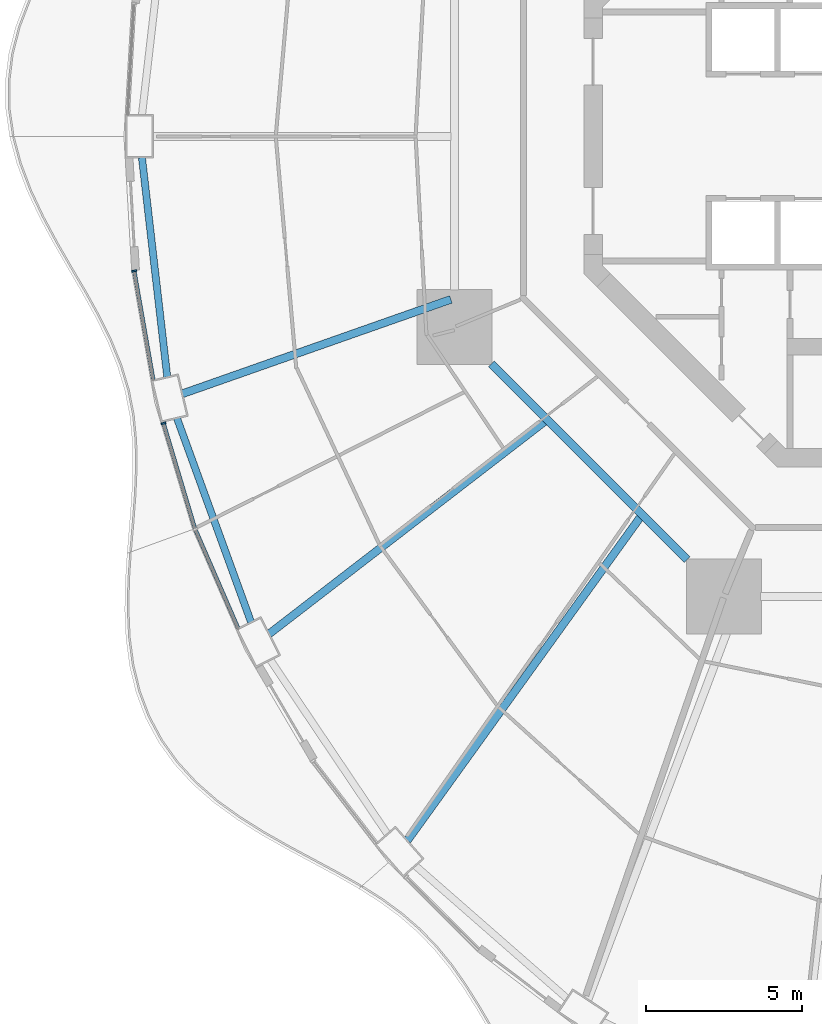
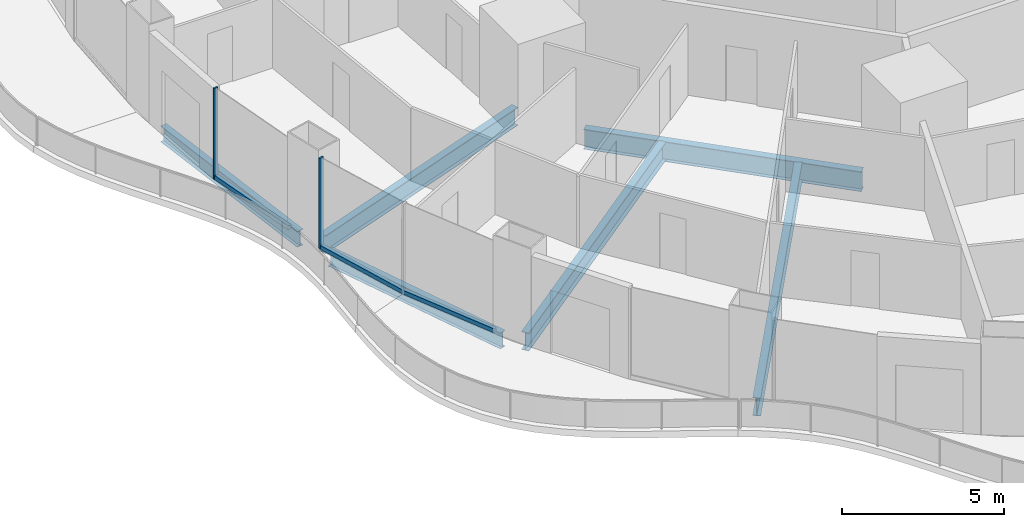
# One storey, part 3 of 22: 6 beams, 5 members, 3 elements without a shape of their own.
"""IFC4 building model written with IfcOpenShell, lengths in metres."""

from ifc_helpers import new_model, si_unit, direction, frame, origin, origin_2d, place, context, subcontext, project, spatial, rectangle, i_section, extrude, material, layer, layer_set, material_profile, profile_set, type_object, element, aggregate, save


model = new_model("IFC4")

# Units and contexts
model_context = context("Model", 3, precision=1e-05, world=origin(), true_north=direction((0.0, 1.0)))
body_context = subcontext(model_context, "Body", "Model", "MODEL_VIEW")
ifc_project = project(units=[si_unit("LENGTHUNIT", "METRE"), si_unit("AREAUNIT", "SQUARE_METRE"), si_unit("VOLUMEUNIT", "CUBIC_METRE"), si_unit("PLANEANGLEUNIT", "RADIAN"), si_unit("MASSUNIT", "GRAM", prefix="KILO")], contexts=[model_context])

# Site, building, storey
site_placement = place(None, origin())
site = spatial("IfcSite", under=ifc_project, at=site_placement, CompositionType="ELEMENT")
building_placement = place(site_placement, origin())
building = spatial("IfcBuilding", under=site, at=building_placement, Name="Nagisa Residences", CompositionType="ELEMENT")
storey_placement = place(building_placement, frame((0.0, 0.0, 34.39990234375)))
storey = spatial("IfcBuildingStorey", under=building, at=storey_placement, Name="L07", CompositionType="ELEMENT", Elevation=34.39990234375)

# Curtain wall, member
ifc_material_1 = material(Name="Concrete-coloured aluminium curtain wall system", Category="concrete")
ifc_layer = layer(ifc_material_1, 0.159912109375)
ifc_layer_set = layer_set([ifc_layer], Name="CW1 CURTAIN WALL")
curtain_wall_type = type_object("IfcCurtainWallType", Name="CW1 CURTAIN WALL", PredefinedType="NOTDEFINED", material=ifc_layer_set)
curtain_wall_1_placement = place(storey_placement, origin())
curtain_wall_1 = element("IfcCurtainWall", 1, at=curtain_wall_1_placement, inside=storey, type_object=curtain_wall_type, Name="cw:CW1:L07:25", PredefinedType="NOTDEFINED")
ifc_material_2 = material(Name="Concrete-coloured aluminium", Category="concrete")
ifc_material_profile_1 = material_profile(ifc_material_2, rectangle(XDim=0.159912109375, YDim=0.06005859375, at=origin_2d()), Name="CW1 MULLION 160x60")
ifc_profile_set_1 = profile_set([ifc_material_profile_1], Name="Concrete-coloured aluminium")
member_type_1 = type_object("IfcMemberType", Name="CW1 MULLION 160x60", PredefinedType="MULLION", material=ifc_profile_set_1)
member_1_placement = place(storey_placement, frame((-25.06787109375, -4.3232421875, 0.0), z_axis=(0.0, 0.0, 1.0), x_axis=(0.985063604377, 0.172190868898, 0.0)))
member_1 = element("IfcMember", 2, at=member_1_placement, type_object=member_type_1, Name="CW1 mullion", PredefinedType="MULLION", context=body_context, shape_type="SweptSolid", body=[
    extrude(rectangle(XDim=0.159912109375, YDim=0.06005859375, at=origin_2d()), origin(), (0.0, 0.0, 1.0), 3.440185546875),
])

curtain_wall_2_placement = place(storey_placement, origin())
curtain_wall_2 = element("IfcCurtainWall", 3, at=curtain_wall_2_placement, inside=storey, type_object=curtain_wall_type, Name="cw:CW1:L07:26", PredefinedType="NOTDEFINED")
member_2_placement = place(storey_placement, frame((-24.12646484375, -9.2177734375, 0.0), z_axis=(0.0, 0.0, 1.0), x_axis=(0.958271310082, 0.285860274038, 0.0)))
member_2 = element("IfcMember", 4, at=member_2_placement, type_object=member_type_1, Name="CW1 mullion", PredefinedType="MULLION", context=body_context, shape_type="SweptSolid", body=[
    extrude(rectangle(XDim=0.159912109375, YDim=0.06005859375, at=origin_2d()), origin(), (0.0, 0.0, 1.0), 3.440185546875),
])

# Member
ifc_material_3 = material(Name="Concrete-coloured aluminium", Category="concrete")
ifc_material_profile_2 = material_profile(ifc_material_3, rectangle(XDim=0.1201171875, YDim=0.14990234375, at=origin_2d()), Name="CW1 TRANSOM 120x150")
ifc_profile_set_2 = profile_set([ifc_material_profile_2], Name="Concrete-coloured aluminium")
member_type_2 = type_object("IfcMemberType", Name="CW1 TRANSOM 120x150", PredefinedType="USERDEFINED", material=ifc_profile_set_2)
member_3_placement = place(storey_placement, frame((-25.072998046875, -4.293701171875, 0.0751953125), z_axis=(0.172163041068, -0.985068468326, 0.0), x_axis=(0.985068468326, 0.172163041068, 0.0)))
member_3 = element("IfcMember", 5, at=member_3_placement, type_object=member_type_2, Name="CW1 transom", ObjectType="TRANSOM", PredefinedType="USERDEFINED", context=body_context, shape_type="SweptSolid", body=[
    extrude(rectangle(XDim=0.1201171875, YDim=0.14990234375, at=origin_2d()), origin(), (0.0, 0.0, 1.0), 3.59765625),
])

aggregate(curtain_wall_1, [member_1, member_3])

member_4_placement = place(storey_placement, frame((-24.135009765625, -9.18896484375, 0.0751953125), z_axis=(0.285808431121, -0.958286773727, 0.0), x_axis=(0.958286773727, 0.285808431121, 0.0)))
member_4 = element("IfcMember", 6, at=member_4_placement, type_object=member_type_2, Name="CW1 transom", ObjectType="TRANSOM", PredefinedType="USERDEFINED", context=body_context, shape_type="SweptSolid", body=[
    extrude(rectangle(XDim=0.1201171875, YDim=0.14990234375, at=origin_2d()), origin(), (0.0, 0.0, 1.0), 3.5654296875),
])

aggregate(curtain_wall_2, [member_2, member_4])

# Curtain wall, member
curtain_wall_3_placement = place(storey_placement, origin())
curtain_wall_3 = element("IfcCurtainWall", 7, at=curtain_wall_3_placement, inside=storey, type_object=curtain_wall_type, Name="cw:CW1:L07:27", PredefinedType="NOTDEFINED")
member_5_placement = place(storey_placement, frame((-23.119140625, -12.5966796875, 0.0751953125), z_axis=(0.397624958345, -0.917548032803, 0.0), x_axis=(0.917548032803, 0.397624958345, 0.0)))
member_5 = element("IfcMember", 8, at=member_5_placement, type_object=member_type_2, Name="CW1 transom", ObjectType="TRANSOM", PredefinedType="USERDEFINED", context=body_context, shape_type="SweptSolid", body=[
    extrude(rectangle(XDim=0.1201171875, YDim=0.14990234375, at=origin_2d()), origin(), (0.0, 0.0, 1.0), 3.51953125),
])
aggregate(curtain_wall_3, [member_5])

# Beams
ifc_material_4 = material(Name="Steel ASTM A572 Gr 50", Category="steel")
ifc_material_profile_3 = material_profile(ifc_material_4, i_section(OverallWidth=0.264892578125, OverallDepth=0.7529296875, WebThickness=0.01318359375, FlangeThickness=0.01708984375, at=origin_2d()), Name="W760x147")
ifc_profile_set_3 = profile_set([ifc_material_profile_3], Name="Steel ASTM A572 Gr 50")
beam_type_1 = type_object("IfcBeamType", Name="Inner ring beam W760x147", PredefinedType="BEAM", material=ifc_profile_set_3)
beam_1_placement = place(storey_placement, frame((-13.59619140625, -7.308837890625, -0.636474609375), z_axis=(0.707106781187, -0.707106781187, 0.0), x_axis=(0.707106781187, 0.707106781187, 0.0)))
element("IfcBeam", 9, at=beam_1_placement, inside=storey, type_object=beam_type_1, Name="beam:L07:ib5", PredefinedType="BEAM", context=body_context, shape_type="SweptSolid", body=[
    extrude(i_section(OverallWidth=0.264892578125, OverallDepth=0.7529296875, WebThickness=0.01318359375, FlangeThickness=0.01708984375, at=origin_2d()), origin(), (0.0, 0.0, 1.0), 8.8916015625),
])
ifc_material_5 = material(Name="Steel ASTM A572 Gr 50", Category="steel")
ifc_material_profile_4 = material_profile(ifc_material_5, i_section(OverallWidth=0.22802734375, OverallDepth=0.60302734375, WebThickness=0.010498046875, FlangeThickness=0.014892578125, at=origin_2d()), Name="W610x101")
ifc_profile_set_4 = profile_set([ifc_material_profile_4], Name="Steel ASTM A572 Gr 50")
beam_type_2 = type_object("IfcBeamType", Name="Perimeter ring beam W610x101", PredefinedType="BEAM", material=ifc_profile_set_4)
beam_2_placement = place(storey_placement, frame((-24.821533203125, -0.68017578125, -0.5615234375), z_axis=(0.114707660057, -0.993399291687, 0.0), x_axis=(0.993399291687, 0.114707660057, 0.0)))
element("IfcBeam", 10, at=beam_2_placement, inside=storey, type_object=beam_type_2, Name="beam:L07:pb13", PredefinedType="BEAM", context=body_context, shape_type="SweptSolid", body=[
    extrude(i_section(OverallWidth=0.22802734375, OverallDepth=0.60302734375, WebThickness=0.010498046875, FlangeThickness=0.014892578125, at=origin_2d()), origin(), (0.0, 0.0, 1.0), 7.09814453125),
])
beam_3_placement = place(storey_placement, frame((-23.695068359375, -9.055419921875, -0.5615234375), z_axis=(0.341411143183, -0.939914055279, 0.0), x_axis=(0.939914055279, 0.341411143183, 0.0)))
element("IfcBeam", 11, at=beam_3_placement, inside=storey, type_object=beam_type_2, Name="beam:L07:pb14", PredefinedType="BEAM", context=body_context, shape_type="SweptSolid", body=[
    extrude(i_section(OverallWidth=0.22802734375, OverallDepth=0.60302734375, WebThickness=0.010498046875, FlangeThickness=0.014892578125, at=origin_2d()), origin(), (0.0, 0.0, 1.0), 6.96923828125),
])
ifc_material_6 = material(Name="Steel ASTM A572 Gr 50", Category="steel")
ifc_material_profile_5 = material_profile(ifc_material_6, i_section(OverallWidth=0.25390625, OverallDepth=0.68408203125, WebThickness=0.012451171875, FlangeThickness=0.018798828125, at=origin_2d()), Name="W690x140")
ifc_profile_set_5 = profile_set([ifc_material_profile_5], Name="Steel ASTM A572 Gr 50")
beam_type_3 = type_object("IfcBeamType", Name="Radial beam W690x140", PredefinedType="BEAM", material=ifc_profile_set_5)
beam_4_placement = place(storey_placement, frame((-23.520751953125, -8.26806640625, -0.601806640625), z_axis=(0.943414535235, 0.331615763659, 0.0), x_axis=(-0.331615763659, 0.943414535235, 0.0)))
element("IfcBeam", 12, at=beam_4_placement, inside=storey, type_object=beam_type_3, Name="beam:L07:rb14", PredefinedType="BEAM", context=body_context, shape_type="SweptSolid", body=[
    extrude(i_section(OverallWidth=0.25390625, OverallDepth=0.68408203125, WebThickness=0.012451171875, FlangeThickness=0.018798828125, at=origin_2d()), origin(), (0.0, 0.0, 1.0), 9.142333984375),
])
beam_5_placement = place(storey_placement, frame((-20.73486328125, -15.982666015625, -0.601806640625), z_axis=(0.792016146736, 0.610500141941, 0.0), x_axis=(-0.610500141941, 0.792016146736, 0.0)))
element("IfcBeam", 13, at=beam_5_placement, inside=storey, type_object=beam_type_3, Name="beam:L07:rb15", PredefinedType="BEAM", context=body_context, shape_type="SweptSolid", body=[
    extrude(i_section(OverallWidth=0.25390625, OverallDepth=0.68408203125, WebThickness=0.012451171875, FlangeThickness=0.018798828125, at=origin_2d()), origin(), (0.0, 0.0, 1.0), 11.160888671875),
])
beam_6_placement = place(storey_placement, frame((-16.29443359375, -22.62255859375, -0.601806640625), z_axis=(0.58445507622, 0.811426068031, 0.0), x_axis=(-0.811426068031, 0.58445507622, 0.0)))
element("IfcBeam", 14, at=beam_6_placement, inside=storey, type_object=beam_type_3, Name="beam:L07:rb16", PredefinedType="BEAM", context=body_context, shape_type="SweptSolid", body=[
    extrude(i_section(OverallWidth=0.25390625, OverallDepth=0.68408203125, WebThickness=0.012451171875, FlangeThickness=0.018798828125, at=origin_2d()), origin(), (0.0, 0.0, 1.0), 12.78955078125),
])

save(model, "model.ifc")
